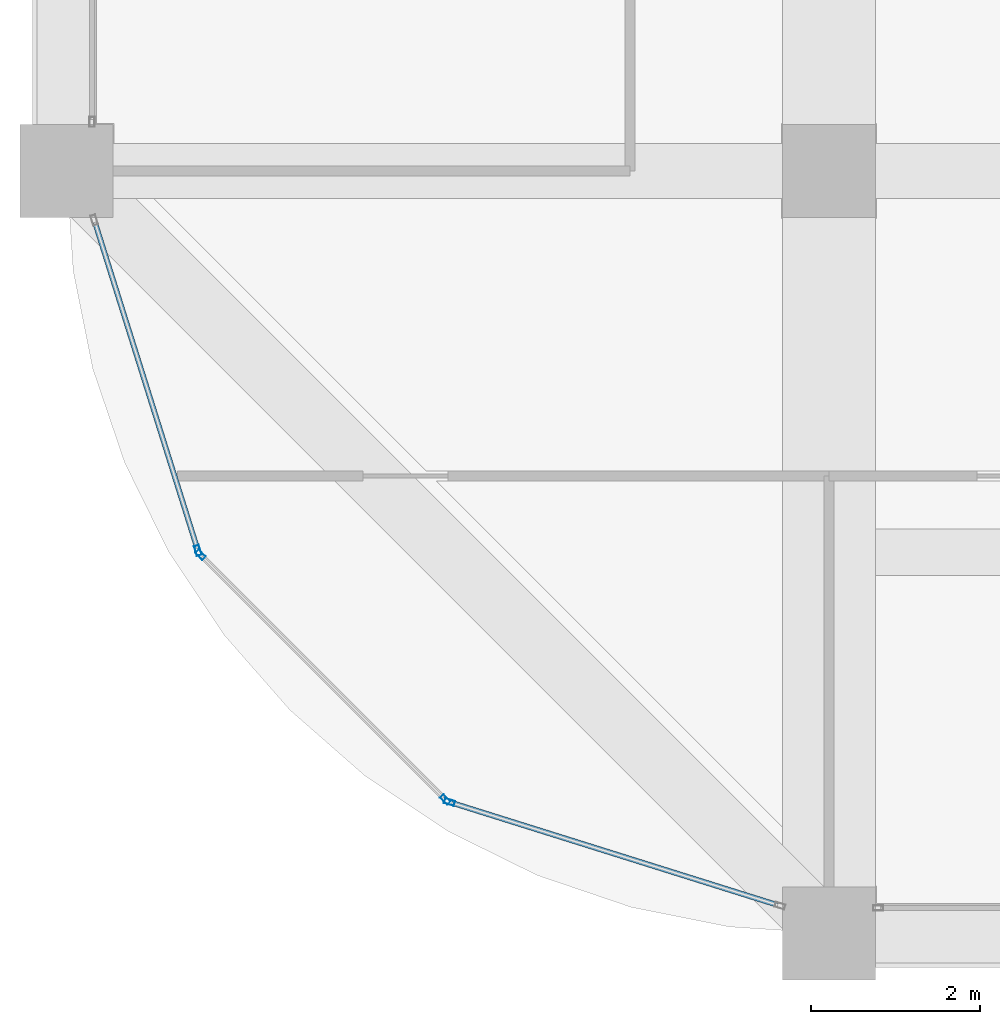
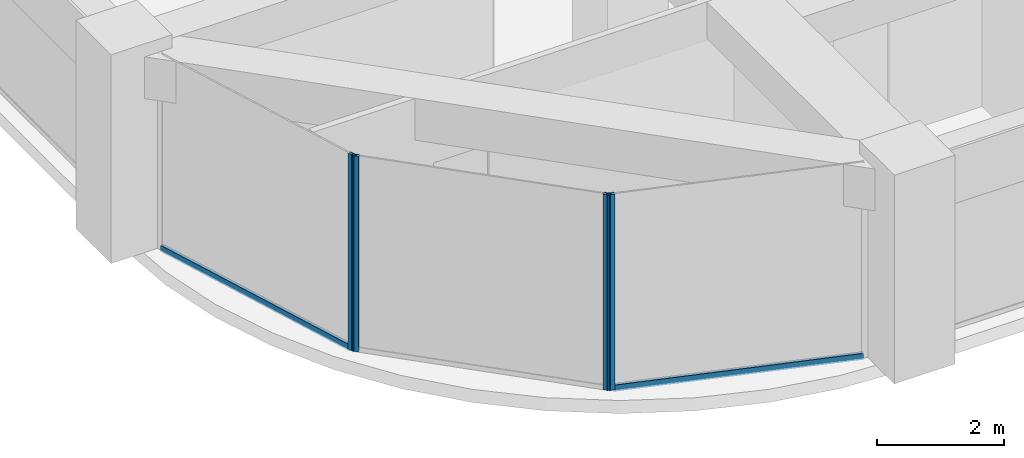
# One storey, part 2 of 44: 6 members, 3 elements without a shape of their own.
"""IFC4 building model written with IfcOpenShell, lengths in metres."""

from ifc_helpers import new_model, si_unit, direction, frame, origin, origin_2d, place, context, subcontext, project, spatial, hollow_rectangle, extrude, material, material_profile, profile_set, type_object, element, aggregate, save


model = new_model("IFC4")

# Units and contexts
model_context = context("Model", 3, precision=1e-05, world=origin(), true_north=direction((0.0, 1.0)))
body_context = subcontext(model_context, "Body", "Model", "MODEL_VIEW")
ifc_project = project(units=[si_unit("LENGTHUNIT", "METRE"), si_unit("AREAUNIT", "SQUARE_METRE"), si_unit("VOLUMEUNIT", "CUBIC_METRE"), si_unit("PLANEANGLEUNIT", "RADIAN"), si_unit("MASSUNIT", "GRAM", prefix="KILO")], contexts=[model_context])

# Site, building, storey
site_placement = place(None, origin())
site = spatial("IfcSite", under=ifc_project, at=site_placement, CompositionType="ELEMENT")
building_placement = place(site_placement, origin())
building = spatial("IfcBuilding", under=site, at=building_placement, Name="Zorevar Civic Tower", CompositionType="ELEMENT")
storey_placement = place(building_placement, frame((0.0, 0.0, 295.39990234375)))
storey = spatial("IfcBuildingStorey", under=building, at=storey_placement, Name="L72", CompositionType="ELEMENT", Elevation=295.39990234375)

# Curtain wall, member
ifc_material_1 = material(Name="Dark grey solar-control glass in black aluminium frame", Category="aluminium")
curtain_wall_type = type_object("IfcCurtainWallType", Name="Curtain wall CW5 top zone", PredefinedType="NOTDEFINED", material=ifc_material_1)
curtain_wall_1_placement = place(storey_placement, origin())
curtain_wall_1 = element("IfcCurtainWall", 1, at=curtain_wall_1_placement, inside=storey, type_object=curtain_wall_type, Name="CW5 L72", PredefinedType="NOTDEFINED")
ifc_material_2 = material(Name="Aluminium, black anodised", Category="aluminium")
ifc_material_profile_1 = material_profile(ifc_material_2, hollow_rectangle(XDim=0.06005859375, YDim=0.1201171875, WallThickness=0.0029296875, at=origin_2d()), Name="AL 120x60x3")
ifc_profile_set_1 = profile_set([ifc_material_profile_1], Name="Aluminium, black anodised")
member_type_1 = type_object("IfcMemberType", Name="CW5 mullion AL 120x60x3", PredefinedType="MULLION", material=ifc_profile_set_1)
member_1_placement = place(storey_placement, frame((10.550048828125, 4.520751953125, 0.0), z_axis=(0.0, 0.0, 1.0), x_axis=(0.954153437674, 0.299317920238, 0.0)))
member_1 = element("IfcMember", 2, at=member_1_placement, type_object=member_type_1, Name="CW5 mullion 2", PredefinedType="MULLION", context=body_context, shape_type="SweptSolid", body=[
    extrude(hollow_rectangle(XDim=0.06005859375, YDim=0.1201171875, WallThickness=0.0029296875, at=origin_2d()), origin(), (0.0, 0.0, 1.0), 3.75),
])

# Curtain wall, members
curtain_wall_2_placement = place(storey_placement, origin())
curtain_wall_2 = element("IfcCurtainWall", 3, at=curtain_wall_2_placement, inside=storey, type_object=curtain_wall_type, Name="CW5 L72", PredefinedType="NOTDEFINED")
member_2_placement = place(storey_placement, frame((10.580322265625, 4.470947265625, 0.0), z_axis=(0.0, 0.0, 1.0), x_axis=(0.707106781187, 0.707106781187, 0.0)))
member_2 = element("IfcMember", 4, at=member_2_placement, type_object=member_type_1, Name="CW5 mullion 1", PredefinedType="MULLION", context=body_context, shape_type="SweptSolid", body=[
    extrude(hollow_rectangle(XDim=0.06005859375, YDim=0.1201171875, WallThickness=0.0029296875, at=origin_2d()), origin(), (0.0, 0.0, 1.0), 3.75),
])
member_3_placement = place(storey_placement, frame((13.470947265625, 1.580322265625, 0.0), z_axis=(0.0, 0.0, 1.0), x_axis=(0.707106781187, 0.707106781187, 0.0)))
member_3 = element("IfcMember", 5, at=member_3_placement, type_object=member_type_1, Name="CW5 mullion 2", PredefinedType="MULLION", context=body_context, shape_type="SweptSolid", body=[
    extrude(hollow_rectangle(XDim=0.06005859375, YDim=0.1201171875, WallThickness=0.0029296875, at=origin_2d()), origin(), (0.0, 0.0, 1.0), 3.75),
])
aggregate(curtain_wall_2, [member_2, member_3])

# Curtain wall, member
curtain_wall_3_placement = place(storey_placement, origin())
curtain_wall_3 = element("IfcCurtainWall", 6, at=curtain_wall_3_placement, inside=storey, type_object=curtain_wall_type, Name="CW5 L72", PredefinedType="NOTDEFINED")
member_4_placement = place(storey_placement, frame((13.520751953125, 1.550048828125, 0.0), z_axis=(0.0, 0.0, 1.0), x_axis=(0.299317920238, 0.954153437674, 0.0)))
member_4 = element("IfcMember", 7, at=member_4_placement, type_object=member_type_1, Name="CW5 mullion 1", PredefinedType="MULLION", context=body_context, shape_type="SweptSolid", body=[
    extrude(hollow_rectangle(XDim=0.06005859375, YDim=0.1201171875, WallThickness=0.0029296875, at=origin_2d()), origin(), (0.0, 0.0, 1.0), 3.75),
])

# Member
ifc_material_3 = material(Name="Aluminium, black anodised", Category="aluminium")
ifc_material_profile_2 = material_profile(ifc_material_3, hollow_rectangle(XDim=0.06005859375, YDim=0.1201171875, WallThickness=0.0029296875, at=origin_2d()), Name="AL 120x60x3")
ifc_profile_set_2 = profile_set([ifc_material_profile_2], Name="Aluminium, black anodised")
member_type_2 = type_object("IfcMemberType", Name="CW5 transom AL 120x60x3", PredefinedType="USERDEFINED", material=ifc_profile_set_2)
member_5_placement = place(storey_placement, frame((9.33544921875, 8.392822265625, 0.030029296875), z_axis=(0.299285978047, -0.954163457351, 0.0), x_axis=(0.954163457351, 0.299285978047, 0.0)))
member_5 = element("IfcMember", 8, at=member_5_placement, type_object=member_type_2, Name="CW5 sill transom", ObjectType="TRANSOM", PredefinedType="USERDEFINED", context=body_context, shape_type="SweptSolid", body=[
    extrude(hollow_rectangle(XDim=0.06005859375, YDim=0.1201171875, WallThickness=0.0029296875, at=origin_2d()), origin(), (0.0, 0.0, 1.0), 4.028076171875),
])

aggregate(curtain_wall_1, [member_1, member_5])

member_6_placement = place(storey_placement, frame((13.54931640625, 1.541015625, 0.030029296875), z_axis=(0.954163457351, -0.299285978047, 0.0), x_axis=(0.299285978047, 0.954163457351, 0.0)))
member_6 = element("IfcMember", 9, at=member_6_placement, type_object=member_type_2, Name="CW5 sill transom", ObjectType="TRANSOM", PredefinedType="USERDEFINED", context=body_context, shape_type="SweptSolid", body=[
    extrude(hollow_rectangle(XDim=0.06005859375, YDim=0.1201171875, WallThickness=0.0029296875, at=origin_2d()), origin(), (0.0, 0.0, 1.0), 4.028076171875),
])

aggregate(curtain_wall_3, [member_4, member_6])

save(model, "model.ifc")
